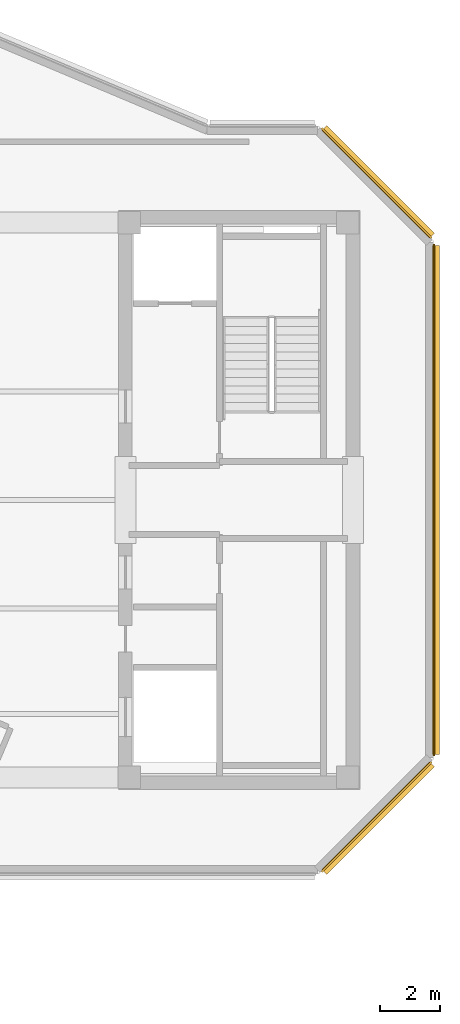
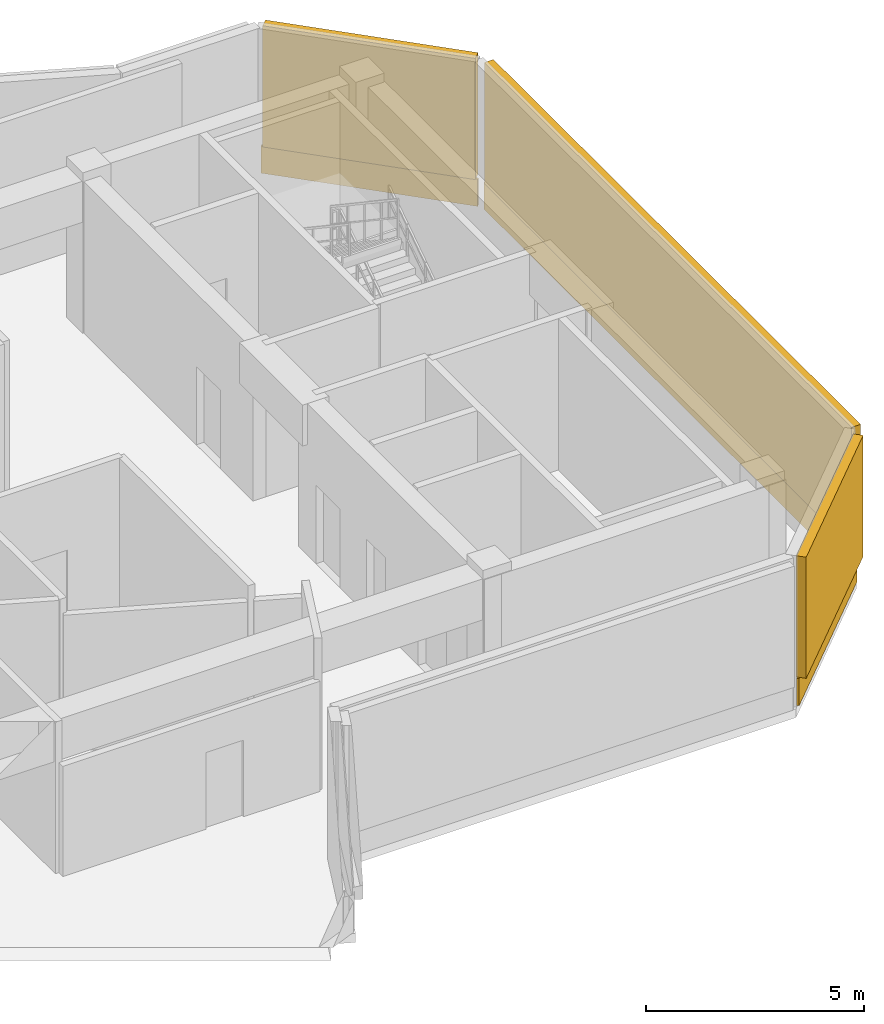
# One storey, part 5 of 5: 3 coverings, 3 shading devices.
"""IFC4 building model written with IfcOpenShell, lengths in metres."""

from ifc_helpers import new_model, si_unit, direction, frame, origin, origin_2d, place, context, subcontext, project, spatial, rectangle, extrude, source, transform, mapped, material, layer, layer_set, type_object, element, save


model = new_model("IFC4")

# Units and contexts
model_context = context("Model", 3, precision=1e-05, world=origin(), true_north=direction((0.0, 1.0)))
body_context = subcontext(model_context, "Body", "Model", "MODEL_VIEW")
ifc_project = project(units=[si_unit("LENGTHUNIT", "METRE"), si_unit("AREAUNIT", "SQUARE_METRE"), si_unit("VOLUMEUNIT", "CUBIC_METRE"), si_unit("PLANEANGLEUNIT", "RADIAN"), si_unit("MASSUNIT", "GRAM", prefix="KILO")], contexts=[model_context])

# Site, building, storey
site_placement = place(None, origin())
site = spatial("IfcSite", under=ifc_project, at=site_placement, CompositionType="ELEMENT")
building_placement = place(site_placement, origin())
building = spatial("IfcBuilding", under=site, at=building_placement, Name="Zahravan Cultural Tower", CompositionType="ELEMENT")
storey_placement = place(building_placement, frame((0.0, 0.0, 375.14990234375)))
storey = spatial("IfcBuildingStorey", under=building, at=storey_placement, Name="L91", CompositionType="ELEMENT", Elevation=375.14990234375)

# Coverings
ifc_material_1 = material(Name="Terracotta ceramic cladding", Category="masonry")
ifc_layer = layer(ifc_material_1, 0.06005859375)
ifc_layer_set = layer_set([ifc_layer], Name="Terracotta ceramic cladding")
covering_type = type_object("IfcCoveringType", Name="COV-CLAD-TC60", PredefinedType="CLADDING", material=ifc_layer_set)
shared_shape_1 = source(origin(), body_context, "Body", "SweptSolid", [
    extrude(rectangle(XDim=5.157958984375, YDim=0.06005859375, at=origin_2d()), origin(), (0.0, 0.0, 1.0), 0.760009765625),
])
for number, where, z_axis, x_axis, name in (
    (1, (51.310546875, 37.510498046875, 0.02001953125), (0.0, 0.0, 1.0), (0.707106781187, -0.707106781187, 0.0), "L91 Terracotta Spandrel Cladding 05"),
    (2, (51.310546875, 16.489501953125, 0.02001953125), (0.0, 0.0, 1.0), (-0.707106781187, -0.707106781187, 0.0), "L91 Terracotta Spandrel Cladding 07"),
):
    element("IfcCovering", number, at=place(storey_placement, frame(where, z_axis=z_axis, x_axis=x_axis)), inside=storey, type_object=covering_type, Name=name, PredefinedType="CLADDING", context=body_context, shape_type="MappedRepresentation", body=[
        mapped(shared_shape_1, transform((0.0, 0.0, 0.0), x_axis=(1.0, 0.0, 0.0), y_axis=(0.0, 1.0, 0.0), z_axis=(0.0, 0.0, 1.0), scale=1.0)),
    ])

# Shading devices
ifc_material_2 = material(Name="Architectural terracotta fin", Category="masonry")
shading_device_type = type_object("IfcShadingDeviceType", Name="SHD-LOUVRE-BAND", PredefinedType="JALOUSIE", material=ifc_material_2)
shared_shape_2 = source(origin(), body_context, "Body", "SweptSolid", [
    extrude(rectangle(XDim=5.05810546875, YDim=0.239990234375, at=origin_2d()), origin(), (0.0, 0.0, 1.0), 3.39990234375),
])
for number, where, z_axis, x_axis, name in (
    (3, (51.356689453125, 37.556640625, 0.780029296875), (0.0, 0.0, 1.0), (0.707106781187, -0.707106781187, 0.0), "L91 Terracotta Acoustic Louvre 04"),
    (4, (51.356689453125, 16.443359375, 0.780029296875), (0.0, 0.0, 1.0), (-0.707106781187, -0.707106781187, 0.0), "L91 Terracotta Acoustic Louvre 06"),
):
    element("IfcShadingDevice", number, at=place(storey_placement, frame(where, z_axis=z_axis, x_axis=x_axis)), inside=storey, type_object=shading_device_type, Name=name, PredefinedType="JALOUSIE", context=body_context, shape_type="MappedRepresentation", body=[
        mapped(shared_shape_2, transform((0.0, 0.0, 0.0), x_axis=(1.0, 0.0, 0.0), y_axis=(0.0, 1.0, 0.0), z_axis=(0.0, 0.0, 1.0), scale=1.0)),
    ])

# Covering
shared_shape_3 = source(origin(), body_context, "Body", "SweptSolid", [
    extrude(rectangle(XDim=16.98388671875, YDim=0.06005859375, at=origin_2d()), origin(), (0.0, 0.0, 1.0), 0.760009765625),
])
covering_placement = place(storey_placement, frame((53.215087890625, 27.0, 0.02001953125), z_axis=(0.0, 0.0, 1.0), x_axis=(0.0, -1.0, 0.0)))
element("IfcCovering", 5, at=covering_placement, inside=storey, type_object=covering_type, Name="L91 Terracotta Spandrel Cladding 06", PredefinedType="CLADDING", context=body_context, shape_type="MappedRepresentation", body=[
    mapped(shared_shape_3, transform((0.0, 0.0, 0.0), x_axis=(1.0, 0.0, 0.0), y_axis=(0.0, 1.0, 0.0), z_axis=(0.0, 0.0, 1.0), scale=1.0)),
])

# Shading device
shared_shape_4 = source(origin(), body_context, "Body", "SweptSolid", [
    extrude(rectangle(XDim=16.884033203125, YDim=0.239990234375, at=origin_2d()), origin(), (0.0, 0.0, 1.0), 3.39990234375),
])
shading_device_placement = place(storey_placement, frame((53.280029296875, 27.0, 0.780029296875), z_axis=(0.0, 0.0, 1.0), x_axis=(0.0, -1.0, 0.0)))
element("IfcShadingDevice", 6, at=shading_device_placement, inside=storey, type_object=shading_device_type, Name="L91 Terracotta Acoustic Louvre 05", PredefinedType="JALOUSIE", context=body_context, shape_type="MappedRepresentation", body=[
    mapped(shared_shape_4, transform((0.0, 0.0, 0.0), x_axis=(1.0, 0.0, 0.0), y_axis=(0.0, 1.0, 0.0), z_axis=(0.0, 0.0, 1.0), scale=1.0)),
])

save(model, "model.ifc")
